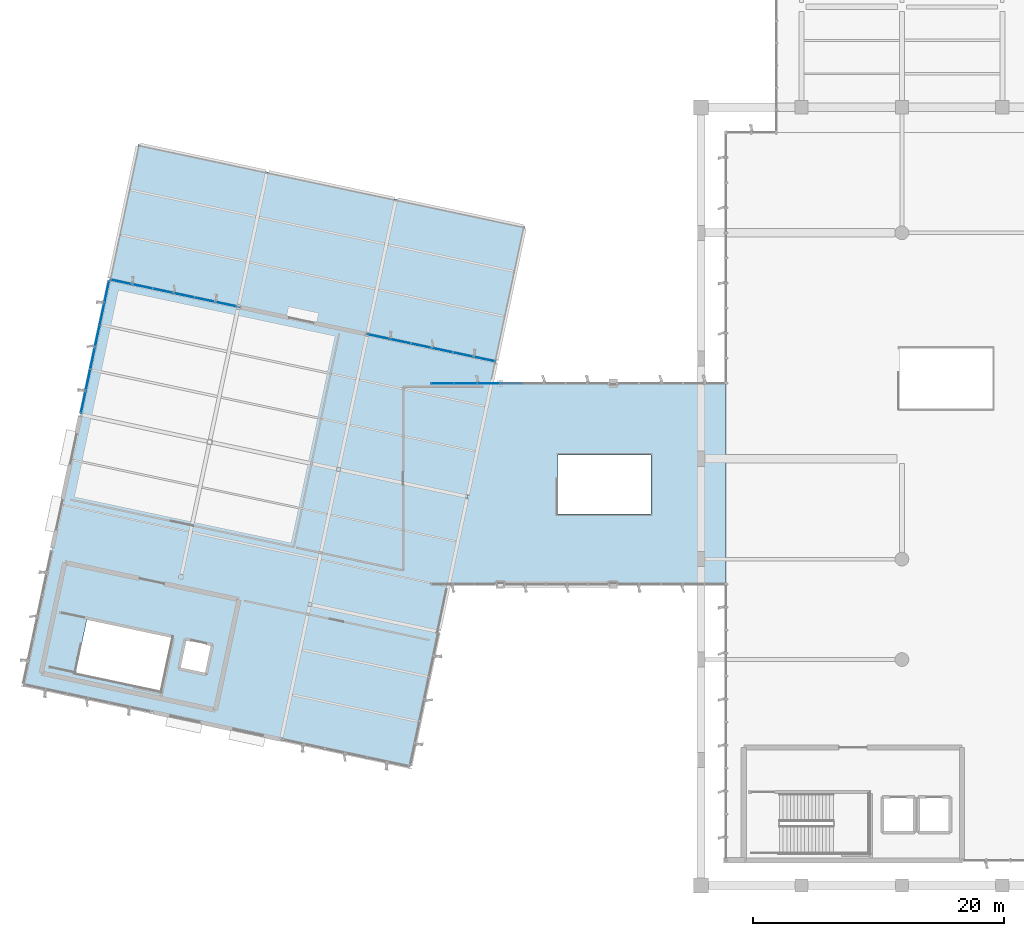
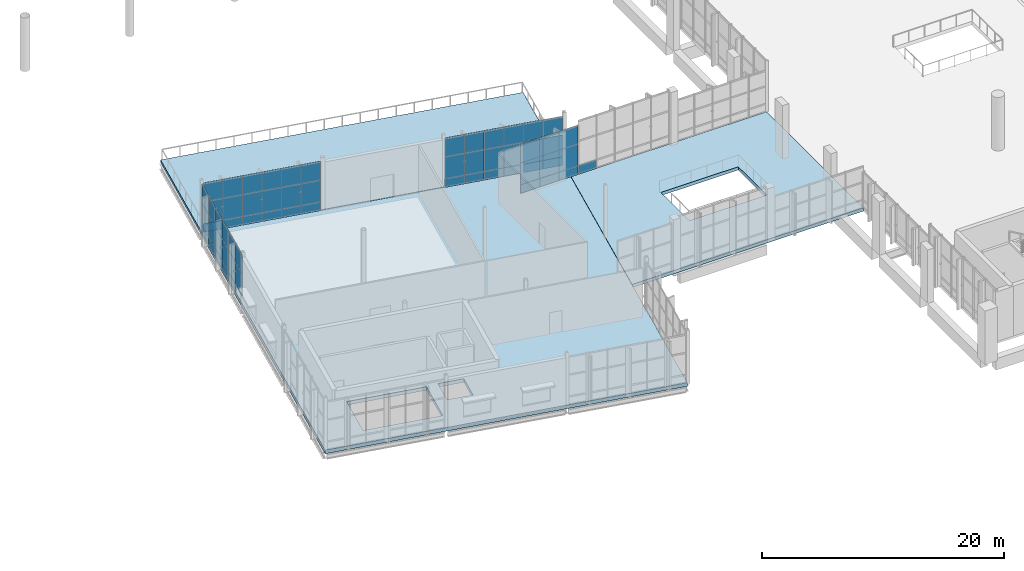
# One storey, part 122 of 176: 63 plates, 3 slabs, 5 elements without a shape of their own.
"""IFC4 building model written with IfcOpenShell, lengths in metres."""

from ifc_helpers import new_model, si_unit, direction, frame, origin, origin_2d, place, context, subcontext, project, spatial, polyline, rectangle, outline, extrude, material, layer, layer_set, type_object, element, aggregate, save


model = new_model("IFC4")

# Units and contexts
model_context = context("Model", 3, precision=1e-05, world=origin(), true_north=direction((0.0, 1.0)))
body_context = subcontext(model_context, "Body", "Model", "MODEL_VIEW")
ifc_project = project(units=[si_unit("LENGTHUNIT", "METRE"), si_unit("AREAUNIT", "SQUARE_METRE"), si_unit("VOLUMEUNIT", "CUBIC_METRE"), si_unit("PLANEANGLEUNIT", "RADIAN"), si_unit("MASSUNIT", "GRAM", prefix="KILO")], contexts=[model_context])

# Site, building, storey
site_placement = place(None, origin())
site = spatial("IfcSite", under=ifc_project, at=site_placement, CompositionType="ELEMENT")
building_placement = place(site_placement, origin())
building = spatial("IfcBuilding", under=site, at=building_placement, Name="Khorjan Park Terminus", CompositionType="ELEMENT")
storey_placement = place(building_placement, frame((0.0, 0.0, 6.0)))
storey = spatial("IfcBuildingStorey", under=building, at=storey_placement, Name="L01", CompositionType="ELEMENT", Elevation=6.0)

# Curtain wall, plates
ifc_material_1 = material(Name="Anodized Bronze Aluminium", Category="aluminium")
ifc_layer_1 = layer(ifc_material_1, 0.22)
ifc_layer_set_1 = layer_set([ifc_layer_1], Name="Anodized Bronze Aluminium")
curtain_wall_type = type_object("IfcCurtainWallType", Name="CW-PAV-C", PredefinedType="NOTDEFINED", material=ifc_layer_set_1)
curtain_wall_1_placement = place(storey_placement, origin())
curtain_wall_1 = element("IfcCurtainWall", 1, at=curtain_wall_1_placement, inside=storey, type_object=curtain_wall_type, Name="Unitized curtain wall CW-C (CW-V4-N-L01-B03)", PredefinedType="NOTDEFINED")
ifc_material_2 = material(Name="Low-E Solar Control Double Glazing", Category="glass")
ifc_layer_2 = layer(ifc_material_2, 0.032)
ifc_layer_set_2 = layer_set([ifc_layer_2], Name="Low-E Solar Control Double Glazing")
plate_type_1 = type_object("IfcPlateType", Name="GL-VIS-32", PredefinedType="CURTAIN_PANEL", material=ifc_layer_set_2)
plate_1_placement = place(storey_placement, frame((10.1223, 72.3103, 0.85), z_axis=(0.0, 0.0, 1.0), x_axis=(-0.978146425179, 0.207917221289, 0.0)))
plate_1 = element("IfcPlate", 2, at=plate_1_placement, type_object=plate_type_1, Name="Curtain-wall panel VP-32 (CW-V4-N-L01-B03-0-2)", PredefinedType="CURTAIN_PANEL", context=body_context, shape_type="SweptSolid", body=[
    extrude(rectangle(XDim=1.6979, YDim=0.032, at=origin_2d()), origin(), (0.0, 0.0, 1.0), 2.2066),
])
plate_2_placement = place(storey_placement, frame((10.1223, 72.3103, 3.0566), z_axis=(0.0, 0.0, 1.0), x_axis=(-0.978146425179, 0.207917221289, 0.0)))
plate_2 = element("IfcPlate", 3, at=plate_2_placement, type_object=plate_type_1, Name="Curtain-wall panel VP-32 (CW-V4-N-L01-B03-0-3)", PredefinedType="CURTAIN_PANEL", context=body_context, shape_type="SweptSolid", body=[
    extrude(rectangle(XDim=1.6979, YDim=0.032, at=origin_2d()), origin(), (0.0, 0.0, 1.0), 1.8834),
])
plate_3_placement = place(storey_placement, frame((8.4615, 72.6633, 0.85), z_axis=(0.0, 0.0, 1.0), x_axis=(-0.978146425179, 0.207917221289, 0.0)))
plate_3 = element("IfcPlate", 4, at=plate_3_placement, type_object=plate_type_1, Name="Curtain-wall panel VP-32 (CW-V4-N-L01-B03-1-2)", PredefinedType="CURTAIN_PANEL", context=body_context, shape_type="SweptSolid", body=[
    extrude(rectangle(XDim=1.6979, YDim=0.032, at=origin_2d()), origin(), (0.0, 0.0, 1.0), 2.2066),
])
plate_4_placement = place(storey_placement, frame((8.4615, 72.6633, 3.0566), z_axis=(0.0, 0.0, 1.0), x_axis=(-0.978146425179, 0.207917221289, 0.0)))
plate_4 = element("IfcPlate", 5, at=plate_4_placement, type_object=plate_type_1, Name="Curtain-wall panel VP-32 (CW-V4-N-L01-B03-1-3)", PredefinedType="CURTAIN_PANEL", context=body_context, shape_type="SweptSolid", body=[
    extrude(rectangle(XDim=1.6979, YDim=0.032, at=origin_2d()), origin(), (0.0, 0.0, 1.0), 1.8834),
])
plate_5_placement = place(storey_placement, frame((6.8008, 73.0163, 0.85), z_axis=(0.0, 0.0, 1.0), x_axis=(-0.978146425179, 0.207917221289, 0.0)))
plate_5 = element("IfcPlate", 6, at=plate_5_placement, type_object=plate_type_1, Name="Curtain-wall panel VP-32 (CW-V4-N-L01-B03-2-2)", PredefinedType="CURTAIN_PANEL", context=body_context, shape_type="SweptSolid", body=[
    extrude(rectangle(XDim=1.6979, YDim=0.032, at=origin_2d()), origin(), (0.0, 0.0, 1.0), 2.2066),
])
plate_6_placement = place(storey_placement, frame((6.8008, 73.0163, 3.0566), z_axis=(0.0, 0.0, 1.0), x_axis=(-0.978146425179, 0.207917221289, 0.0)))
plate_6 = element("IfcPlate", 7, at=plate_6_placement, type_object=plate_type_1, Name="Curtain-wall panel VP-32 (CW-V4-N-L01-B03-2-3)", PredefinedType="CURTAIN_PANEL", context=body_context, shape_type="SweptSolid", body=[
    extrude(rectangle(XDim=1.6979, YDim=0.032, at=origin_2d()), origin(), (0.0, 0.0, 1.0), 1.8834),
])
plate_7_placement = place(storey_placement, frame((5.14, 73.3693, 0.85), z_axis=(0.0, 0.0, 1.0), x_axis=(-0.978146425179, 0.207917221289, 0.0)))
plate_7 = element("IfcPlate", 8, at=plate_7_placement, type_object=plate_type_1, Name="Curtain-wall panel VP-32 (CW-V4-N-L01-B03-3-2)", PredefinedType="CURTAIN_PANEL", context=body_context, shape_type="SweptSolid", body=[
    extrude(rectangle(XDim=1.6979, YDim=0.032, at=origin_2d()), origin(), (0.0, 0.0, 1.0), 2.2066),
])
plate_8_placement = place(storey_placement, frame((5.14, 73.3693, 3.0566), z_axis=(0.0, 0.0, 1.0), x_axis=(-0.978146425179, 0.207917221289, 0.0)))
plate_8 = element("IfcPlate", 9, at=plate_8_placement, type_object=plate_type_1, Name="Curtain-wall panel VP-32 (CW-V4-N-L01-B03-3-3)", PredefinedType="CURTAIN_PANEL", context=body_context, shape_type="SweptSolid", body=[
    extrude(rectangle(XDim=1.6979, YDim=0.032, at=origin_2d()), origin(), (0.0, 0.0, 1.0), 1.8834),
])
plate_9_placement = place(storey_placement, frame((3.4792, 73.7224, 0.85), z_axis=(0.0, 0.0, 1.0), x_axis=(-0.978146425179, 0.207917221289, 0.0)))
plate_9 = element("IfcPlate", 10, at=plate_9_placement, type_object=plate_type_1, Name="Curtain-wall panel VP-32 (CW-V4-N-L01-B03-4-2)", PredefinedType="CURTAIN_PANEL", context=body_context, shape_type="SweptSolid", body=[
    extrude(rectangle(XDim=1.6979, YDim=0.032, at=origin_2d()), origin(), (0.0, 0.0, 1.0), 2.2066),
])
plate_10_placement = place(storey_placement, frame((3.4792, 73.7224, 3.0566), z_axis=(0.0, 0.0, 1.0), x_axis=(-0.978146425179, 0.207917221289, 0.0)))
plate_10 = element("IfcPlate", 11, at=plate_10_placement, type_object=plate_type_1, Name="Curtain-wall panel VP-32 (CW-V4-N-L01-B03-4-3)", PredefinedType="CURTAIN_PANEL", context=body_context, shape_type="SweptSolid", body=[
    extrude(rectangle(XDim=1.6979, YDim=0.032, at=origin_2d()), origin(), (0.0, 0.0, 1.0), 1.8834),
])
plate_11_placement = place(storey_placement, frame((1.8185, 74.0754, 0.85), z_axis=(0.0, 0.0, 1.0), x_axis=(-0.978146425179, 0.207917221289, 0.0)))
plate_11 = element("IfcPlate", 12, at=plate_11_placement, type_object=plate_type_1, Name="Curtain-wall panel VP-32 (CW-V4-N-L01-B03-5-2)", PredefinedType="CURTAIN_PANEL", context=body_context, shape_type="SweptSolid", body=[
    extrude(rectangle(XDim=1.6979, YDim=0.032, at=origin_2d()), origin(), (0.0, 0.0, 1.0), 2.2066),
])
plate_12_placement = place(storey_placement, frame((1.8185, 74.0754, 3.0566), z_axis=(0.0, 0.0, 1.0), x_axis=(-0.978146425179, 0.207917221289, 0.0)))
plate_12 = element("IfcPlate", 13, at=plate_12_placement, type_object=plate_type_1, Name="Curtain-wall panel VP-32 (CW-V4-N-L01-B03-5-3)", PredefinedType="CURTAIN_PANEL", context=body_context, shape_type="SweptSolid", body=[
    extrude(rectangle(XDim=1.6979, YDim=0.032, at=origin_2d()), origin(), (0.0, 0.0, 1.0), 1.8834),
])

curtain_wall_2_placement = place(storey_placement, origin())
curtain_wall_2 = element("IfcCurtainWall", 14, at=curtain_wall_2_placement, inside=storey, type_object=curtain_wall_type, Name="Unitized curtain wall CW-C (CW-V4L-N-L01-1)", PredefinedType="NOTDEFINED")
ifc_material_3 = material(Name="Acoustic Laminated Solar Glazing", Category="glass")
ifc_layer_3 = layer(ifc_material_3, 0.036)
ifc_layer_set_3 = layer_set([ifc_layer_3], Name="Acoustic Laminated Solar Glazing")
plate_type_2 = type_object("IfcPlateType", Name="GL-VIS-36", PredefinedType="CURTAIN_PANEL", material=ifc_layer_set_3)
plate_13_placement = place(storey_placement, frame((31.0833, 66.0, 0.85), z_axis=(0.0, 0.0, 1.0), x_axis=(-1.0, 0.0, 0.0)))
plate_13 = element("IfcPlate", 15, at=plate_13_placement, type_object=plate_type_2, Name="Curtain-wall panel VP-36 (CW-V4L-N-L01-1-0-2)", PredefinedType="CURTAIN_PANEL", context=body_context, shape_type="SweptSolid", body=[
    extrude(rectangle(XDim=1.8333, YDim=0.036, at=origin_2d()), origin(), (0.0, 0.0, 1.0), 2.2066),
])
plate_14_placement = place(storey_placement, frame((31.0833, 66.0, 3.0566), z_axis=(0.0, 0.0, 1.0), x_axis=(-1.0, 0.0, 0.0)))
plate_14 = element("IfcPlate", 16, at=plate_14_placement, type_object=plate_type_2, Name="Curtain-wall panel VP-36 (CW-V4L-N-L01-1-0-3)", PredefinedType="CURTAIN_PANEL", context=body_context, shape_type="SweptSolid", body=[
    extrude(rectangle(XDim=1.8333, YDim=0.036, at=origin_2d()), origin(), (0.0, 0.0, 1.0), 1.8834),
])
plate_15_placement = place(storey_placement, frame((29.25, 66.0, 0.85), z_axis=(0.0, 0.0, 1.0), x_axis=(-1.0, 0.0, 0.0)))
plate_15 = element("IfcPlate", 17, at=plate_15_placement, type_object=plate_type_2, Name="Curtain-wall panel VP-36 (CW-V4L-N-L01-1-1-2)", PredefinedType="CURTAIN_PANEL", context=body_context, shape_type="SweptSolid", body=[
    extrude(rectangle(XDim=1.8333, YDim=0.036, at=origin_2d()), origin(), (0.0, 0.0, 1.0), 2.2066),
])
plate_16_placement = place(storey_placement, frame((29.25, 66.0, 3.0566), z_axis=(0.0, 0.0, 1.0), x_axis=(-1.0, 0.0, 0.0)))
plate_16 = element("IfcPlate", 18, at=plate_16_placement, type_object=plate_type_2, Name="Curtain-wall panel VP-36 (CW-V4L-N-L01-1-1-3)", PredefinedType="CURTAIN_PANEL", context=body_context, shape_type="SweptSolid", body=[
    extrude(rectangle(XDim=1.8333, YDim=0.036, at=origin_2d()), origin(), (0.0, 0.0, 1.0), 1.8834),
])
plate_17_placement = place(storey_placement, frame((27.4167, 66.0, 0.85), z_axis=(0.0, 0.0, 1.0), x_axis=(-1.0, 0.0, 0.0)))
plate_17 = element("IfcPlate", 19, at=plate_17_placement, type_object=plate_type_2, Name="Curtain-wall panel VP-36 (CW-V4L-N-L01-1-2-2)", PredefinedType="CURTAIN_PANEL", context=body_context, shape_type="SweptSolid", body=[
    extrude(rectangle(XDim=1.8333, YDim=0.036, at=origin_2d()), origin(), (0.0, 0.0, 1.0), 2.2066),
])
plate_18_placement = place(storey_placement, frame((27.4167, 66.0, 3.0566), z_axis=(0.0, 0.0, 1.0), x_axis=(-1.0, 0.0, 0.0)))
plate_18 = element("IfcPlate", 20, at=plate_18_placement, type_object=plate_type_2, Name="Curtain-wall panel VP-36 (CW-V4L-N-L01-1-2-3)", PredefinedType="CURTAIN_PANEL", context=body_context, shape_type="SweptSolid", body=[
    extrude(rectangle(XDim=1.8333, YDim=0.036, at=origin_2d()), origin(), (0.0, 0.0, 1.0), 1.8834),
])

curtain_wall_3_placement = place(storey_placement, origin())
curtain_wall_3 = element("IfcCurtainWall", 21, at=curtain_wall_3_placement, inside=storey, type_object=curtain_wall_type, Name="Unitized curtain wall CW-C (CW-V4-N-L01-B01)", PredefinedType="NOTDEFINED")
plate_19_placement = place(storey_placement, frame((30.7111, 67.9341, 0.85), z_axis=(0.0, 0.0, 1.0), x_axis=(-0.978149890677, 0.207900917192, 0.0)))
plate_19 = element("IfcPlate", 22, at=plate_19_placement, type_object=plate_type_2, Name="Curtain-wall panel VP-36 (CW-V4-N-L01-B01-0-2)", PredefinedType="CURTAIN_PANEL", context=body_context, shape_type="SweptSolid", body=[
    extrude(rectangle(XDim=1.7067, YDim=0.036, at=origin_2d()), origin(), (0.0, 0.0, 1.0), 2.2066),
])
plate_20_placement = place(storey_placement, frame((30.7111, 67.9341, 3.0566), z_axis=(0.0, 0.0, 1.0), x_axis=(-0.978149890677, 0.207900917192, 0.0)))
plate_20 = element("IfcPlate", 23, at=plate_20_placement, type_object=plate_type_2, Name="Curtain-wall panel VP-36 (CW-V4-N-L01-B01-0-3)", PredefinedType="CURTAIN_PANEL", context=body_context, shape_type="SweptSolid", body=[
    extrude(rectangle(XDim=1.7067, YDim=0.036, at=origin_2d()), origin(), (0.0, 0.0, 1.0), 1.8834),
])
plate_21_placement = place(storey_placement, frame((29.0416, 68.2889, 0.85), z_axis=(0.0, 0.0, 1.0), x_axis=(-0.978149890677, 0.207900917192, 0.0)))
plate_21 = element("IfcPlate", 24, at=plate_21_placement, type_object=plate_type_2, Name="Curtain-wall panel VP-36 (CW-V4-N-L01-B01-1-2)", PredefinedType="CURTAIN_PANEL", context=body_context, shape_type="SweptSolid", body=[
    extrude(rectangle(XDim=1.7067, YDim=0.036, at=origin_2d()), origin(), (0.0, 0.0, 1.0), 2.2066),
])
plate_22_placement = place(storey_placement, frame((29.0416, 68.2889, 3.0566), z_axis=(0.0, 0.0, 1.0), x_axis=(-0.978149890677, 0.207900917192, 0.0)))
plate_22 = element("IfcPlate", 25, at=plate_22_placement, type_object=plate_type_2, Name="Curtain-wall panel VP-36 (CW-V4-N-L01-B01-1-3)", PredefinedType="CURTAIN_PANEL", context=body_context, shape_type="SweptSolid", body=[
    extrude(rectangle(XDim=1.7067, YDim=0.036, at=origin_2d()), origin(), (0.0, 0.0, 1.0), 1.8834),
])
plate_23_placement = place(storey_placement, frame((27.3722, 68.6438, 0.85), z_axis=(0.0, 0.0, 1.0), x_axis=(-0.978149890677, 0.207900917192, 0.0)))
plate_23 = element("IfcPlate", 26, at=plate_23_placement, type_object=plate_type_2, Name="Curtain-wall panel VP-36 (CW-V4-N-L01-B01-2-2)", PredefinedType="CURTAIN_PANEL", context=body_context, shape_type="SweptSolid", body=[
    extrude(rectangle(XDim=1.7067, YDim=0.036, at=origin_2d()), origin(), (0.0, 0.0, 1.0), 2.2066),
])
plate_24_placement = place(storey_placement, frame((27.3722, 68.6438, 3.0566), z_axis=(0.0, 0.0, 1.0), x_axis=(-0.978149890677, 0.207900917192, 0.0)))
plate_24 = element("IfcPlate", 27, at=plate_24_placement, type_object=plate_type_2, Name="Curtain-wall panel VP-36 (CW-V4-N-L01-B01-2-3)", PredefinedType="CURTAIN_PANEL", context=body_context, shape_type="SweptSolid", body=[
    extrude(rectangle(XDim=1.7067, YDim=0.036, at=origin_2d()), origin(), (0.0, 0.0, 1.0), 1.8834),
])
plate_25_placement = place(storey_placement, frame((25.7027, 68.9986, 0.85), z_axis=(0.0, 0.0, 1.0), x_axis=(-0.978149890677, 0.207900917192, 0.0)))
plate_25 = element("IfcPlate", 28, at=plate_25_placement, type_object=plate_type_2, Name="Curtain-wall panel VP-36 (CW-V4-N-L01-B01-3-2)", PredefinedType="CURTAIN_PANEL", context=body_context, shape_type="SweptSolid", body=[
    extrude(rectangle(XDim=1.7067, YDim=0.036, at=origin_2d()), origin(), (0.0, 0.0, 1.0), 2.2066),
])
plate_26_placement = place(storey_placement, frame((25.7027, 68.9986, 3.0566), z_axis=(0.0, 0.0, 1.0), x_axis=(-0.978149890677, 0.207900917192, 0.0)))
plate_26 = element("IfcPlate", 29, at=plate_26_placement, type_object=plate_type_2, Name="Curtain-wall panel VP-36 (CW-V4-N-L01-B01-3-3)", PredefinedType="CURTAIN_PANEL", context=body_context, shape_type="SweptSolid", body=[
    extrude(rectangle(XDim=1.7067, YDim=0.036, at=origin_2d()), origin(), (0.0, 0.0, 1.0), 1.8834),
])
plate_27_placement = place(storey_placement, frame((24.0332, 69.3535, 0.85), z_axis=(0.0, 0.0, 1.0), x_axis=(-0.978149890677, 0.207900917192, 0.0)))
plate_27 = element("IfcPlate", 30, at=plate_27_placement, type_object=plate_type_2, Name="Curtain-wall panel VP-36 (CW-V4-N-L01-B01-4-2)", PredefinedType="CURTAIN_PANEL", context=body_context, shape_type="SweptSolid", body=[
    extrude(rectangle(XDim=1.7067, YDim=0.036, at=origin_2d()), origin(), (0.0, 0.0, 1.0), 2.2066),
])
plate_28_placement = place(storey_placement, frame((24.0332, 69.3535, 3.0566), z_axis=(0.0, 0.0, 1.0), x_axis=(-0.978149890677, 0.207900917192, 0.0)))
plate_28 = element("IfcPlate", 31, at=plate_28_placement, type_object=plate_type_2, Name="Curtain-wall panel VP-36 (CW-V4-N-L01-B01-4-3)", PredefinedType="CURTAIN_PANEL", context=body_context, shape_type="SweptSolid", body=[
    extrude(rectangle(XDim=1.7067, YDim=0.036, at=origin_2d()), origin(), (0.0, 0.0, 1.0), 1.8834),
])
plate_29_placement = place(storey_placement, frame((22.3638, 69.7083, 0.85), z_axis=(0.0, 0.0, 1.0), x_axis=(-0.978149890677, 0.207900917192, 0.0)))
plate_29 = element("IfcPlate", 32, at=plate_29_placement, type_object=plate_type_2, Name="Curtain-wall panel VP-36 (CW-V4-N-L01-B01-5-2)", PredefinedType="CURTAIN_PANEL", context=body_context, shape_type="SweptSolid", body=[
    extrude(rectangle(XDim=1.7067, YDim=0.036, at=origin_2d()), origin(), (0.0, 0.0, 1.0), 2.2066),
])
plate_30_placement = place(storey_placement, frame((22.3638, 69.7083, 3.0566), z_axis=(0.0, 0.0, 1.0), x_axis=(-0.978149890677, 0.207900917192, 0.0)))
plate_30 = element("IfcPlate", 33, at=plate_30_placement, type_object=plate_type_2, Name="Curtain-wall panel VP-36 (CW-V4-N-L01-B01-5-3)", PredefinedType="CURTAIN_PANEL", context=body_context, shape_type="SweptSolid", body=[
    extrude(rectangle(XDim=1.7067, YDim=0.036, at=origin_2d()), origin(), (0.0, 0.0, 1.0), 1.8834),
])

curtain_wall_4_placement = place(storey_placement, origin())
curtain_wall_4 = element("IfcCurtainWall", 34, at=curtain_wall_4_placement, inside=storey, type_object=curtain_wall_type, Name="Unitized curtain wall CW-C (CW-V4-W-L01-B01)", PredefinedType="NOTDEFINED")
plate_31_placement = place(storey_placement, frame((0.648, 73.2763, 0.85), z_axis=(0.0, 0.0, 1.0), x_axis=(-0.207906749457, -0.978148651039, 0.0)))
plate_31 = element("IfcPlate", 35, at=plate_31_placement, type_object=plate_type_2, Name="Curtain-wall panel VP-36 (CW-V4-W-L01-B01-0-2)", PredefinedType="CURTAIN_PANEL", context=body_context, shape_type="SweptSolid", body=[
    extrude(rectangle(XDim=1.7901, YDim=0.036, at=origin_2d()), origin(), (0.0, 0.0, 1.0), 2.2066),
])
plate_32_placement = place(storey_placement, frame((0.648, 73.2763, 3.0566), z_axis=(0.0, 0.0, 1.0), x_axis=(-0.207906749457, -0.978148651039, 0.0)))
plate_32 = element("IfcPlate", 36, at=plate_32_placement, type_object=plate_type_2, Name="Curtain-wall panel VP-36 (CW-V4-W-L01-B01-0-3)", PredefinedType="CURTAIN_PANEL", context=body_context, shape_type="SweptSolid", body=[
    extrude(rectangle(XDim=1.7901, YDim=0.036, at=origin_2d()), origin(), (0.0, 0.0, 1.0), 1.8834),
])
plate_33_placement = place(storey_placement, frame((0.2758, 71.5254, 0.85), z_axis=(0.0, 0.0, 1.0), x_axis=(-0.207906749457, -0.978148651039, 0.0)))
plate_33 = element("IfcPlate", 37, at=plate_33_placement, type_object=plate_type_2, Name="Curtain-wall panel VP-36 (CW-V4-W-L01-B01-1-2)", PredefinedType="CURTAIN_PANEL", context=body_context, shape_type="SweptSolid", body=[
    extrude(rectangle(XDim=1.7901, YDim=0.036, at=origin_2d()), origin(), (0.0, 0.0, 1.0), 2.2066),
])
plate_34_placement = place(storey_placement, frame((0.2758, 71.5254, 3.0566), z_axis=(0.0, 0.0, 1.0), x_axis=(-0.207906749457, -0.978148651039, 0.0)))
plate_34 = element("IfcPlate", 38, at=plate_34_placement, type_object=plate_type_2, Name="Curtain-wall panel VP-36 (CW-V4-W-L01-B01-1-3)", PredefinedType="CURTAIN_PANEL", context=body_context, shape_type="SweptSolid", body=[
    extrude(rectangle(XDim=1.7901, YDim=0.036, at=origin_2d()), origin(), (0.0, 0.0, 1.0), 1.8834),
])
plate_35_placement = place(storey_placement, frame((-0.0963, 69.7744, 0.85), z_axis=(0.0, 0.0, 1.0), x_axis=(-0.207906749457, -0.978148651039, 0.0)))
plate_35 = element("IfcPlate", 39, at=plate_35_placement, type_object=plate_type_2, Name="Curtain-wall panel VP-36 (CW-V4-W-L01-B01-2-2)", PredefinedType="CURTAIN_PANEL", context=body_context, shape_type="SweptSolid", body=[
    extrude(rectangle(XDim=1.7901, YDim=0.036, at=origin_2d()), origin(), (0.0, 0.0, 1.0), 2.2066),
])
plate_36_placement = place(storey_placement, frame((-0.0963, 69.7744, 3.0566), z_axis=(0.0, 0.0, 1.0), x_axis=(-0.207906749457, -0.978148651039, 0.0)))
plate_36 = element("IfcPlate", 40, at=plate_36_placement, type_object=plate_type_2, Name="Curtain-wall panel VP-36 (CW-V4-W-L01-B01-2-3)", PredefinedType="CURTAIN_PANEL", context=body_context, shape_type="SweptSolid", body=[
    extrude(rectangle(XDim=1.7901, YDim=0.036, at=origin_2d()), origin(), (0.0, 0.0, 1.0), 1.8834),
])
plate_37_placement = place(storey_placement, frame((-0.4685, 68.0234, 0.85), z_axis=(0.0, 0.0, 1.0), x_axis=(-0.207906749457, -0.978148651039, 0.0)))
plate_37 = element("IfcPlate", 41, at=plate_37_placement, type_object=plate_type_2, Name="Curtain-wall panel VP-36 (CW-V4-W-L01-B01-3-2)", PredefinedType="CURTAIN_PANEL", context=body_context, shape_type="SweptSolid", body=[
    extrude(rectangle(XDim=1.7901, YDim=0.036, at=origin_2d()), origin(), (0.0, 0.0, 1.0), 2.2066),
])
plate_38_placement = place(storey_placement, frame((-0.4685, 68.0234, 3.0566), z_axis=(0.0, 0.0, 1.0), x_axis=(-0.207906749457, -0.978148651039, 0.0)))
plate_38 = element("IfcPlate", 42, at=plate_38_placement, type_object=plate_type_2, Name="Curtain-wall panel VP-36 (CW-V4-W-L01-B01-3-3)", PredefinedType="CURTAIN_PANEL", context=body_context, shape_type="SweptSolid", body=[
    extrude(rectangle(XDim=1.7901, YDim=0.036, at=origin_2d()), origin(), (0.0, 0.0, 1.0), 1.8834),
])
plate_39_placement = place(storey_placement, frame((-0.8406, 66.2725, 0.85), z_axis=(0.0, 0.0, 1.0), x_axis=(-0.207906749457, -0.978148651039, 0.0)))
plate_39 = element("IfcPlate", 43, at=plate_39_placement, type_object=plate_type_2, Name="Curtain-wall panel VP-36 (CW-V4-W-L01-B01-4-2)", PredefinedType="CURTAIN_PANEL", context=body_context, shape_type="SweptSolid", body=[
    extrude(rectangle(XDim=1.7901, YDim=0.036, at=origin_2d()), origin(), (0.0, 0.0, 1.0), 2.2066),
])
plate_40_placement = place(storey_placement, frame((-0.8406, 66.2725, 3.0566), z_axis=(0.0, 0.0, 1.0), x_axis=(-0.207906749457, -0.978148651039, 0.0)))
plate_40 = element("IfcPlate", 44, at=plate_40_placement, type_object=plate_type_2, Name="Curtain-wall panel VP-36 (CW-V4-W-L01-B01-4-3)", PredefinedType="CURTAIN_PANEL", context=body_context, shape_type="SweptSolid", body=[
    extrude(rectangle(XDim=1.7901, YDim=0.036, at=origin_2d()), origin(), (0.0, 0.0, 1.0), 1.8834),
])
plate_41_placement = place(storey_placement, frame((-1.2128, 64.5216, 0.85), z_axis=(0.0, 0.0, 1.0), x_axis=(-0.207906749457, -0.978148651039, 0.0)))
plate_41 = element("IfcPlate", 45, at=plate_41_placement, type_object=plate_type_2, Name="Curtain-wall panel VP-36 (CW-V4-W-L01-B01-5-2)", PredefinedType="CURTAIN_PANEL", context=body_context, shape_type="SweptSolid", body=[
    extrude(rectangle(XDim=1.7901, YDim=0.036, at=origin_2d()), origin(), (0.0, 0.0, 1.0), 2.2066),
])
plate_42_placement = place(storey_placement, frame((-1.2128, 64.5216, 3.0566), z_axis=(0.0, 0.0, 1.0), x_axis=(-0.207906749457, -0.978148651039, 0.0)))
plate_42 = element("IfcPlate", 46, at=plate_42_placement, type_object=plate_type_2, Name="Curtain-wall panel VP-36 (CW-V4-W-L01-B01-5-3)", PredefinedType="CURTAIN_PANEL", context=body_context, shape_type="SweptSolid", body=[
    extrude(rectangle(XDim=1.7901, YDim=0.036, at=origin_2d()), origin(), (0.0, 0.0, 1.0), 1.8834),
])

# Slabs
ifc_material_4 = material(Name="Concrete C40/50", Category="concrete")
ifc_layer_4 = layer(ifc_material_4, 0.33)
ifc_layer_set_4 = layer_set([ifc_layer_4], Name="Concrete C40/50")
slab_type_1 = type_object("IfcSlabType", Name="SL-FLR-330", PredefinedType="FLOOR", material=ifc_layer_set_4)
slab_1_placement = place(storey_placement, frame((0.0, 0.0, -0.33)))
element("IfcSlab", 47, at=slab_1_placement, inside=storey, type_object=slab_type_1, Name="Structural floor slab FS-33 (L01-V4-LNK)", PredefinedType="FLOOR", context=body_context, shape_type="SweptSolid", body=[
    extrude(outline(polyline([(50.0, 50.0), (27.9144, 50.0), (31.3153, 66.0), (50.0, 66.0), (50.0, 50.0)]), holes=[polyline([(44.0, 55.6), (44.0, 60.3), (36.615, 60.3), (36.615, 55.6), (44.0, 55.6)])]), origin(), (0.0, 0.0, 1.0), 0.33),
])
ifc_layer_5 = layer(ifc_material_4, 0.36)
ifc_layer_set_5 = layer_set([ifc_layer_5], Name="Concrete C40/50")
slab_type_2 = type_object("IfcSlabType", Name="SL-FLR-360", PredefinedType="FLOOR", material=ifc_layer_set_5)
slab_2_placement = place(storey_placement, frame((0.0, 0.0, -0.36)))
element("IfcSlab", 48, at=slab_2_placement, inside=storey, type_object=slab_type_2, Name="Structural floor slab FS-36 (L01-V4-IN)", PredefinedType="FLOOR", context=body_context, shape_type="SweptSolid", body=[
    extrude(outline(polyline([(0.8611, 74.2789), (31.6727, 67.7297), (24.8116, 35.4508), (-6.0, 42.0), (0.8611, 74.2789)]), holes=[polyline([(6.3832, 43.263), (8.5743, 42.7973), (9.0816, 45.184), (6.8905, 45.6497), (6.3832, 43.263)]), polyline([(-1.8458, 42.9061), (4.9278, 41.4663), (5.8343, 45.731), (-0.9393, 47.1708), (-1.8458, 42.9061)])]), origin(), (0.0, 0.0, 1.0), 0.36),
])
ifc_layer_6 = layer(ifc_material_4, 0.26)
ifc_layer_set_6 = layer_set([ifc_layer_6], Name="Concrete C40/50")
slab_type_3 = type_object("IfcSlabType", Name="SL-TER-260", PredefinedType="ROOF", material=ifc_layer_set_6)
slab_3_placement = place(storey_placement, frame((0.0, 0.0, -0.26)))
element("IfcSlab", 49, at=slab_3_placement, inside=storey, type_object=slab_type_3, Name="External terrace slab TS-26 (L01-V4-TER)", PredefinedType="ROOF", context=body_context, shape_type="SweptSolid", body=[
    extrude(outline(polyline([(0.8694, 74.318), (31.6811, 67.7688), (33.9598, 78.4893), (3.1481, 85.0385), (0.8694, 74.318)])), origin(), (0.0, 0.0, 1.0), 0.26),
])

# Plate
ifc_material_5 = material(Name="Insulated Anodized Bronze Spandrel Panel")
ifc_layer_7 = layer(ifc_material_5, 0.045)
ifc_layer_set_7 = layer_set([ifc_layer_7], Name="Insulated Anodized Bronze Spandrel Panel")
plate_type_3 = type_object("IfcPlateType", Name="SP-AL-45", PredefinedType="CURTAIN_PANEL", material=ifc_layer_set_7)
plate_43_placement = place(storey_placement, frame((31.0833, 66.0, -0.01), z_axis=(0.0, 0.0, 1.0), x_axis=(-1.0, 0.0, 0.0)))
plate_43 = element("IfcPlate", 50, at=plate_43_placement, type_object=plate_type_3, Name="Curtain-wall panel SP-A45 (CW-V4L-N-L01-1-0-1)", PredefinedType="CURTAIN_PANEL", context=body_context, shape_type="SweptSolid", body=[
    extrude(rectangle(XDim=1.8333, YDim=0.045, at=origin_2d()), origin(), (0.0, 0.0, 1.0), 0.86),
])

plate_44_placement = place(storey_placement, frame((29.25, 66.0, -0.01), z_axis=(0.0, 0.0, 1.0), x_axis=(-1.0, 0.0, 0.0)))
plate_44 = element("IfcPlate", 51, at=plate_44_placement, type_object=plate_type_3, Name="Curtain-wall panel SP-A45 (CW-V4L-N-L01-1-1-1)", PredefinedType="CURTAIN_PANEL", context=body_context, shape_type="SweptSolid", body=[
    extrude(rectangle(XDim=1.8333, YDim=0.045, at=origin_2d()), origin(), (0.0, 0.0, 1.0), 0.86),
])

plate_45_placement = place(storey_placement, frame((27.4167, 66.0, -0.01), z_axis=(0.0, 0.0, 1.0), x_axis=(-1.0, 0.0, 0.0)))
plate_45 = element("IfcPlate", 52, at=plate_45_placement, type_object=plate_type_3, Name="Curtain-wall panel SP-A45 (CW-V4L-N-L01-1-2-1)", PredefinedType="CURTAIN_PANEL", context=body_context, shape_type="SweptSolid", body=[
    extrude(rectangle(XDim=1.8333, YDim=0.045, at=origin_2d()), origin(), (0.0, 0.0, 1.0), 0.86),
])

aggregate(curtain_wall_2, [plate_43, plate_13, plate_14, plate_44, plate_15, plate_16, plate_45, plate_17, plate_18])

# Curtain wall, plate
curtain_wall_5_placement = place(storey_placement, origin())
curtain_wall_5 = element("IfcCurtainWall", 53, at=curtain_wall_5_placement, inside=storey, type_object=curtain_wall_type, Name="Unitized curtain wall CW-C (CW-V4L-N-L01-2)", PredefinedType="NOTDEFINED")
plate_46_placement = place(storey_placement, frame((32.867, 66.0, -0.01), z_axis=(0.0, 0.0, 1.0), x_axis=(-1.0, 0.0, 0.0)))
plate_46 = element("IfcPlate", 54, at=plate_46_placement, type_object=plate_type_3, Name="Curtain-wall panel SP-A45 (CW-V4L-N-L01-2-4-1)", PredefinedType="CURTAIN_PANEL", context=body_context, shape_type="SweptSolid", body=[
    extrude(rectangle(XDim=1.734, YDim=0.045, at=origin_2d()), origin(), (0.0, 0.0, 1.0), 0.86),
])
aggregate(curtain_wall_5, [plate_46])

# Plate
plate_47_placement = place(storey_placement, frame((30.7111, 67.9341, -0.01), z_axis=(0.0, 0.0, 1.0), x_axis=(-0.978149890677, 0.207900917192, 0.0)))
plate_47 = element("IfcPlate", 55, at=plate_47_placement, type_object=plate_type_3, Name="Curtain-wall panel SP-A45 (CW-V4-N-L01-B01-0-1)", PredefinedType="CURTAIN_PANEL", context=body_context, shape_type="SweptSolid", body=[
    extrude(rectangle(XDim=1.7067, YDim=0.045, at=origin_2d()), origin(), (0.0, 0.0, 1.0), 0.86),
])

plate_48_placement = place(storey_placement, frame((29.0416, 68.2889, -0.01), z_axis=(0.0, 0.0, 1.0), x_axis=(-0.978149890677, 0.207900917192, 0.0)))
plate_48 = element("IfcPlate", 56, at=plate_48_placement, type_object=plate_type_3, Name="Curtain-wall panel SP-A45 (CW-V4-N-L01-B01-1-1)", PredefinedType="CURTAIN_PANEL", context=body_context, shape_type="SweptSolid", body=[
    extrude(rectangle(XDim=1.7067, YDim=0.045, at=origin_2d()), origin(), (0.0, 0.0, 1.0), 0.86),
])

plate_49_placement = place(storey_placement, frame((27.3722, 68.6438, -0.01), z_axis=(0.0, 0.0, 1.0), x_axis=(-0.978149890677, 0.207900917192, 0.0)))
plate_49 = element("IfcPlate", 57, at=plate_49_placement, type_object=plate_type_3, Name="Curtain-wall panel SP-A45 (CW-V4-N-L01-B01-2-1)", PredefinedType="CURTAIN_PANEL", context=body_context, shape_type="SweptSolid", body=[
    extrude(rectangle(XDim=1.7067, YDim=0.045, at=origin_2d()), origin(), (0.0, 0.0, 1.0), 0.86),
])

plate_50_placement = place(storey_placement, frame((25.7027, 68.9986, -0.01), z_axis=(0.0, 0.0, 1.0), x_axis=(-0.978149890677, 0.207900917192, 0.0)))
plate_50 = element("IfcPlate", 58, at=plate_50_placement, type_object=plate_type_3, Name="Curtain-wall panel SP-A45 (CW-V4-N-L01-B01-3-1)", PredefinedType="CURTAIN_PANEL", context=body_context, shape_type="SweptSolid", body=[
    extrude(rectangle(XDim=1.7067, YDim=0.045, at=origin_2d()), origin(), (0.0, 0.0, 1.0), 0.86),
])

plate_51_placement = place(storey_placement, frame((24.0332, 69.3535, -0.01), z_axis=(0.0, 0.0, 1.0), x_axis=(-0.978149890677, 0.207900917192, 0.0)))
plate_51 = element("IfcPlate", 59, at=plate_51_placement, type_object=plate_type_3, Name="Curtain-wall panel SP-A45 (CW-V4-N-L01-B01-4-1)", PredefinedType="CURTAIN_PANEL", context=body_context, shape_type="SweptSolid", body=[
    extrude(rectangle(XDim=1.7067, YDim=0.045, at=origin_2d()), origin(), (0.0, 0.0, 1.0), 0.86),
])

plate_52_placement = place(storey_placement, frame((22.3638, 69.7083, -0.01), z_axis=(0.0, 0.0, 1.0), x_axis=(-0.978149890677, 0.207900917192, 0.0)))
plate_52 = element("IfcPlate", 60, at=plate_52_placement, type_object=plate_type_3, Name="Curtain-wall panel SP-A45 (CW-V4-N-L01-B01-5-1)", PredefinedType="CURTAIN_PANEL", context=body_context, shape_type="SweptSolid", body=[
    extrude(rectangle(XDim=1.7067, YDim=0.045, at=origin_2d()), origin(), (0.0, 0.0, 1.0), 0.86),
])

aggregate(curtain_wall_3, [plate_47, plate_19, plate_20, plate_48, plate_21, plate_22, plate_49, plate_23, plate_24, plate_50, plate_25, plate_26, plate_51, plate_27, plate_28, plate_52, plate_29, plate_30])

plate_53_placement = place(storey_placement, frame((10.1223, 72.3103, -0.01), z_axis=(0.0, 0.0, 1.0), x_axis=(-0.978146425179, 0.207917221289, 0.0)))
plate_53 = element("IfcPlate", 61, at=plate_53_placement, type_object=plate_type_3, Name="Curtain-wall panel SP-A45 (CW-V4-N-L01-B03-0-1)", PredefinedType="CURTAIN_PANEL", context=body_context, shape_type="SweptSolid", body=[
    extrude(rectangle(XDim=1.6979, YDim=0.045, at=origin_2d()), origin(), (0.0, 0.0, 1.0), 0.86),
])

plate_54_placement = place(storey_placement, frame((8.4615, 72.6633, -0.01), z_axis=(0.0, 0.0, 1.0), x_axis=(-0.978146425179, 0.207917221289, 0.0)))
plate_54 = element("IfcPlate", 62, at=plate_54_placement, type_object=plate_type_3, Name="Curtain-wall panel SP-A45 (CW-V4-N-L01-B03-1-1)", PredefinedType="CURTAIN_PANEL", context=body_context, shape_type="SweptSolid", body=[
    extrude(rectangle(XDim=1.6979, YDim=0.045, at=origin_2d()), origin(), (0.0, 0.0, 1.0), 0.86),
])

plate_55_placement = place(storey_placement, frame((6.8008, 73.0163, -0.01), z_axis=(0.0, 0.0, 1.0), x_axis=(-0.978146425179, 0.207917221289, 0.0)))
plate_55 = element("IfcPlate", 63, at=plate_55_placement, type_object=plate_type_3, Name="Curtain-wall panel SP-A45 (CW-V4-N-L01-B03-2-1)", PredefinedType="CURTAIN_PANEL", context=body_context, shape_type="SweptSolid", body=[
    extrude(rectangle(XDim=1.6979, YDim=0.045, at=origin_2d()), origin(), (0.0, 0.0, 1.0), 0.86),
])

plate_56_placement = place(storey_placement, frame((5.14, 73.3693, -0.01), z_axis=(0.0, 0.0, 1.0), x_axis=(-0.978146425179, 0.207917221289, 0.0)))
plate_56 = element("IfcPlate", 64, at=plate_56_placement, type_object=plate_type_3, Name="Curtain-wall panel SP-A45 (CW-V4-N-L01-B03-3-1)", PredefinedType="CURTAIN_PANEL", context=body_context, shape_type="SweptSolid", body=[
    extrude(rectangle(XDim=1.6979, YDim=0.045, at=origin_2d()), origin(), (0.0, 0.0, 1.0), 0.86),
])

plate_57_placement = place(storey_placement, frame((3.4792, 73.7224, -0.01), z_axis=(0.0, 0.0, 1.0), x_axis=(-0.978146425179, 0.207917221289, 0.0)))
plate_57 = element("IfcPlate", 65, at=plate_57_placement, type_object=plate_type_3, Name="Curtain-wall panel SP-A45 (CW-V4-N-L01-B03-4-1)", PredefinedType="CURTAIN_PANEL", context=body_context, shape_type="SweptSolid", body=[
    extrude(rectangle(XDim=1.6979, YDim=0.045, at=origin_2d()), origin(), (0.0, 0.0, 1.0), 0.86),
])

plate_58_placement = place(storey_placement, frame((1.8185, 74.0754, -0.01), z_axis=(0.0, 0.0, 1.0), x_axis=(-0.978146425179, 0.207917221289, 0.0)))
plate_58 = element("IfcPlate", 66, at=plate_58_placement, type_object=plate_type_3, Name="Curtain-wall panel SP-A45 (CW-V4-N-L01-B03-5-1)", PredefinedType="CURTAIN_PANEL", context=body_context, shape_type="SweptSolid", body=[
    extrude(rectangle(XDim=1.6979, YDim=0.045, at=origin_2d()), origin(), (0.0, 0.0, 1.0), 0.86),
])

aggregate(curtain_wall_1, [plate_53, plate_1, plate_2, plate_54, plate_3, plate_4, plate_55, plate_5, plate_6, plate_56, plate_7, plate_8, plate_57, plate_9, plate_10, plate_58, plate_11, plate_12])

plate_59_placement = place(storey_placement, frame((0.648, 73.2763, -0.01), z_axis=(0.0, 0.0, 1.0), x_axis=(-0.207906749457, -0.978148651039, 0.0)))
plate_59 = element("IfcPlate", 67, at=plate_59_placement, type_object=plate_type_3, Name="Curtain-wall panel SP-A45 (CW-V4-W-L01-B01-0-1)", PredefinedType="CURTAIN_PANEL", context=body_context, shape_type="SweptSolid", body=[
    extrude(rectangle(XDim=1.7901, YDim=0.045, at=origin_2d()), origin(), (0.0, 0.0, 1.0), 0.86),
])

plate_60_placement = place(storey_placement, frame((0.2758, 71.5254, -0.01), z_axis=(0.0, 0.0, 1.0), x_axis=(-0.207906749457, -0.978148651039, 0.0)))
plate_60 = element("IfcPlate", 68, at=plate_60_placement, type_object=plate_type_3, Name="Curtain-wall panel SP-A45 (CW-V4-W-L01-B01-1-1)", PredefinedType="CURTAIN_PANEL", context=body_context, shape_type="SweptSolid", body=[
    extrude(rectangle(XDim=1.7901, YDim=0.045, at=origin_2d()), origin(), (0.0, 0.0, 1.0), 0.86),
])

plate_61_placement = place(storey_placement, frame((-0.0963, 69.7744, -0.01), z_axis=(0.0, 0.0, 1.0), x_axis=(-0.207906749457, -0.978148651039, 0.0)))
plate_61 = element("IfcPlate", 69, at=plate_61_placement, type_object=plate_type_3, Name="Curtain-wall panel SP-A45 (CW-V4-W-L01-B01-2-1)", PredefinedType="CURTAIN_PANEL", context=body_context, shape_type="SweptSolid", body=[
    extrude(rectangle(XDim=1.7901, YDim=0.045, at=origin_2d()), origin(), (0.0, 0.0, 1.0), 0.86),
])

plate_62_placement = place(storey_placement, frame((-0.4685, 68.0234, -0.01), z_axis=(0.0, 0.0, 1.0), x_axis=(-0.207906749457, -0.978148651039, 0.0)))
plate_62 = element("IfcPlate", 70, at=plate_62_placement, type_object=plate_type_3, Name="Curtain-wall panel SP-A45 (CW-V4-W-L01-B01-3-1)", PredefinedType="CURTAIN_PANEL", context=body_context, shape_type="SweptSolid", body=[
    extrude(rectangle(XDim=1.7901, YDim=0.045, at=origin_2d()), origin(), (0.0, 0.0, 1.0), 0.86),
])

plate_63_placement = place(storey_placement, frame((-0.8406, 66.2725, -0.01), z_axis=(0.0, 0.0, 1.0), x_axis=(-0.207906749457, -0.978148651039, 0.0)))
plate_63 = element("IfcPlate", 71, at=plate_63_placement, type_object=plate_type_3, Name="Curtain-wall panel SP-A45 (CW-V4-W-L01-B01-4-1)", PredefinedType="CURTAIN_PANEL", context=body_context, shape_type="SweptSolid", body=[
    extrude(rectangle(XDim=1.7901, YDim=0.045, at=origin_2d()), origin(), (0.0, 0.0, 1.0), 0.86),
])

aggregate(curtain_wall_4, [plate_59, plate_31, plate_32, plate_60, plate_33, plate_34, plate_61, plate_35, plate_36, plate_62, plate_37, plate_38, plate_63, plate_39, plate_40, plate_41, plate_42])

save(model, "model.ifc")
